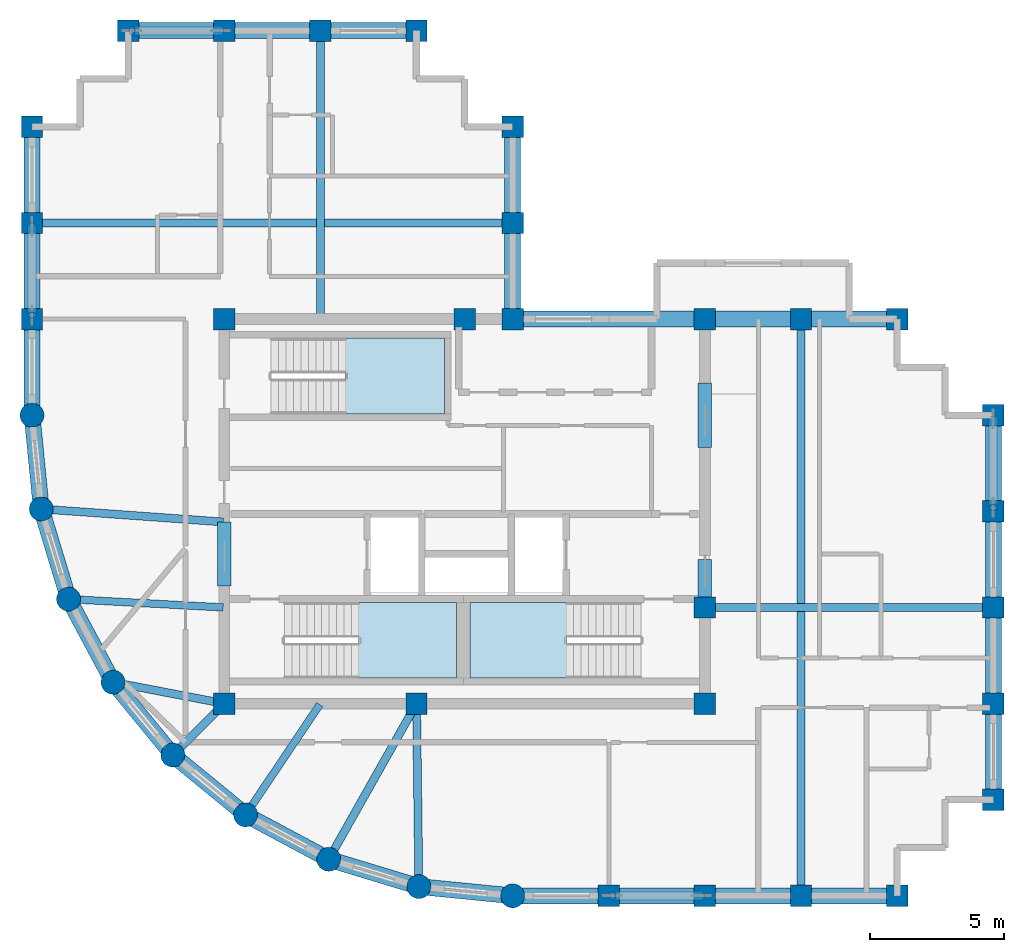
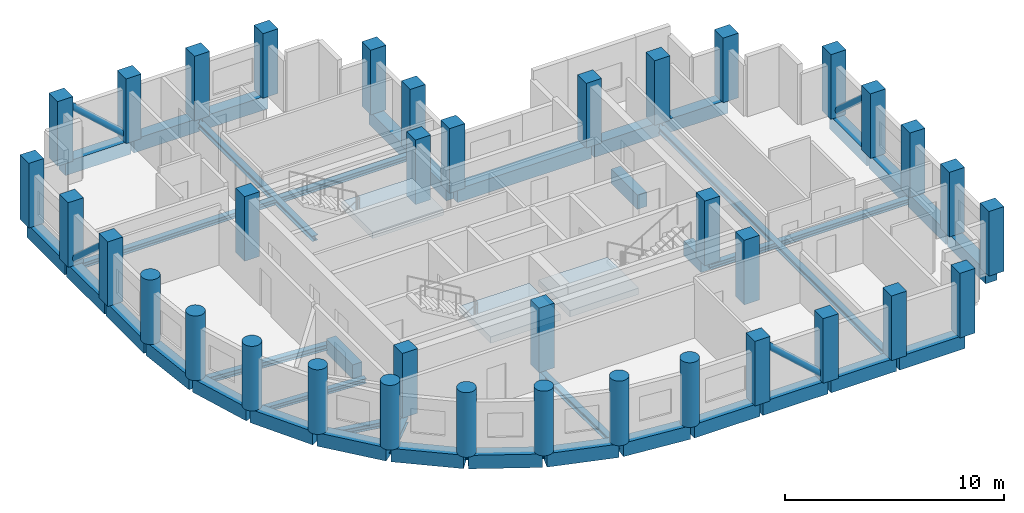
# One storey, part 1 of 6: 41 beams, 37 columns, 4 members, 3 slabs, 3 elements without a shape of their own.
"""IFC4 building model written with IfcOpenShell, lengths in metres."""

from ifc_helpers import new_model, si_unit, direction, frame, origin, origin_2d, place, context, subcontext, project, spatial, polyline, rectangle, circle, hollow_circle, i_section, outline, extrude, material, layer, layer_set, material_profile, profile_set, type_object, element, aggregate, save


model = new_model("IFC4")

# Units and contexts
model_context = context("Model", 3, precision=1e-05, world=origin(), true_north=direction((0.0, 1.0)))
body_context = subcontext(model_context, "Body", "Model", "MODEL_VIEW")
ifc_project = project(units=[si_unit("LENGTHUNIT", "METRE"), si_unit("AREAUNIT", "SQUARE_METRE"), si_unit("VOLUMEUNIT", "CUBIC_METRE"), si_unit("PLANEANGLEUNIT", "RADIAN"), si_unit("MASSUNIT", "GRAM", prefix="KILO")], contexts=[model_context])

# Site, building, storey
site_placement = place(None, origin())
site = spatial("IfcSite", under=ifc_project, at=site_placement, CompositionType="ELEMENT")
building_placement = place(site_placement, origin())
building = spatial("IfcBuilding", under=site, at=building_placement, Name="Solnavia Interchange Tower", CompositionType="ELEMENT")
storey_placement = place(building_placement, frame((0.0, 0.0, 255.800048828125)))
storey = spatial("IfcBuildingStorey", under=building, at=storey_placement, Name="L64", CompositionType="ELEMENT", Elevation=255.800048828125)

# Columns
ifc_material_1 = material(Name="Concrete C50/60", Category="concrete")
ifc_material_profile_1 = material_profile(ifc_material_1, rectangle(XDim=0.800048828125, YDim=0.800048828125, at=origin_2d()), Name="RC 800x800")
ifc_profile_set_1 = profile_set([ifc_material_profile_1], Name="Concrete C50/60")
column_type_1 = type_object("IfcColumnType", Name="Col-RC-800x800", PredefinedType="COLUMN", material=ifc_profile_set_1)
for number, where, z_axis, x_axis, name in (
    (1, (7.199951171875, 25.199951171875, 0.0), (0.0, 0.0, 1.0), (0.0, 1.0, 0.0), "COL-L64-02 Tower perim y column"),
    (2, (7.199951171875, 28.800048828125, 0.0), (0.0, 0.0, 1.0), (0.0, 1.0, 0.0), "COL-L64-03 Tower perim y column"),
    (3, (7.199951171875, 32.39990234375, 0.0), (0.0, 0.0, 1.0), (0.0, 1.0, 0.0), "COL-L64-04 Tower corner column"),
    (4, (10.800048828125, 36.0, 0.0), (0.0, 0.0, 1.0), (1.0, 0.0, 0.0), "COL-L64-08 Tower corner column"),
    (5, (14.39990234375, 10.800048828125, 0.0), (0.0, 0.0, 1.0), (1.0, 0.0, 0.0), "COL-L64-10 Tower interior column"),
    (6, (14.39990234375, 25.199951171875, 0.0), (0.0, 0.0, 1.0), (1.0, 0.0, 0.0), "COL-L64-11 Tower interior column"),
    (7, (14.39990234375, 36.0, 0.0), (0.0, 0.0, 1.0), (1.0, 0.0, 0.0), "COL-L64-12 Tower perim x column"),
    (8, (18.0, 36.0, 0.0), (0.0, 0.0, 1.0), (1.0, 0.0, 0.0), "COL-L64-14 Tower perim x column"),
    (9, (21.60009765625, 10.800048828125, 0.0), (0.0, 0.0, 1.0), (1.0, 0.0, 0.0), "COL-L64-16 Tower interior column"),
    (10, (21.60009765625, 36.0, 0.0), (0.0, 0.0, 1.0), (1.0, 0.0, 0.0), "COL-L64-17 Tower corner column"),
    (11, (23.39990234375, 25.199951171875, 0.0), (0.0, 0.0, 1.0), (1.0, 0.0, 0.0), "COL-L64-19 Tower interior column"),
    (12, (25.199951171875, 25.199951171875, 0.0), (0.0, 0.0, 1.0), (1.0, 0.0, 0.0), "COL-L64-21 Tower interior column"),
    (13, (25.199951171875, 28.800048828125, 0.0), (0.0, 0.0, 1.0), (0.0, 1.0, 0.0), "COL-L64-22 Tower perim y column"),
    (14, (25.199951171875, 32.39990234375, 0.0), (0.0, 0.0, 1.0), (0.0, 1.0, 0.0), "COL-L64-23 Tower corner column"),
    (15, (28.800048828125, 3.60009765625, 0.0), (0.0, 0.0, 1.0), (1.0, 0.0, 0.0), "COL-L64-24 Tower perim x column"),
    (16, (32.39990234375, 3.60009765625, 0.0), (0.0, 0.0, 1.0), (1.0, 0.0, 0.0), "COL-L64-25 Tower perim x column"),
    (17, (32.39990234375, 10.800048828125, 0.0), (0.0, 0.0, 1.0), (1.0, 0.0, 0.0), "COL-L64-26 Tower interior column"),
    (18, (32.39990234375, 14.39990234375, 0.0), (0.0, 0.0, 1.0), (1.0, 0.0, 0.0), "COL-L64-27 Tower interior column"),
    (19, (32.39990234375, 25.199951171875, 0.0), (0.0, 0.0, 1.0), (1.0, 0.0, 0.0), "COL-L64-28 Tower interior column"),
    (20, (36.0, 3.60009765625, 0.0), (0.0, 0.0, 1.0), (1.0, 0.0, 0.0), "COL-L64-29 Tower perim x column"),
    (21, (36.0, 25.199951171875, 0.0), (0.0, 0.0, 1.0), (1.0, 0.0, 0.0), "COL-L64-30 Tower perim x column"),
    (22, (39.60009765625, 3.60009765625, 0.0), (0.0, 0.0, 1.0), (1.0, 0.0, 0.0), "COL-L64-31 Tower corner column"),
    (23, (39.60009765625, 25.199951171875, 0.0), (0.0, 0.0, 1.0), (1.0, 0.0, 0.0), "COL-L64-32 Tower corner column"),
    (24, (43.199951171875, 7.199951171875, 0.0), (0.0, 0.0, 1.0), (1.0, 0.0, 0.0), "COL-L64-33 Tower corner column"),
    (25, (43.199951171875, 10.800048828125, 0.0), (0.0, 0.0, 1.0), (0.0, 1.0, 0.0), "COL-L64-34 Tower perim y column"),
    (26, (43.199951171875, 14.39990234375, 0.0), (0.0, 0.0, 1.0), (0.0, 1.0, 0.0), "COL-L64-35 Tower perim y column"),
    (27, (43.199951171875, 18.0, 0.0), (0.0, 0.0, 1.0), (0.0, 1.0, 0.0), "COL-L64-36 Tower perim y column"),
    (28, (43.199951171875, 21.60009765625, 0.0), (0.0, 0.0, 1.0), (0.0, 1.0, 0.0), "COL-L64-37 Tower corner column"),
):
    element("IfcColumn", number, at=place(storey_placement, frame(where, z_axis=z_axis, x_axis=x_axis)), inside=storey, type_object=column_type_1, Name=name, PredefinedType="COLUMN", context=body_context, shape_type="SweptSolid", body=[
        extrude(rectangle(XDim=0.800048828125, YDim=0.800048828125, at=origin_2d()), origin(), (0.0, 0.0, 1.0), 3.599853515625),
    ])
ifc_material_profile_2 = material_profile(ifc_material_1, circle(Radius=0.449951171875, at=origin_2d()), Name="RC D900")
ifc_profile_set_2 = profile_set([ifc_material_profile_2], Name="Concrete C50/60")
column_type_2 = type_object("IfcColumnType", Name="Col-RC-D900", PredefinedType="COLUMN", material=ifc_profile_set_2)
for number, where, z_axis, x_axis, name in (
    (29, (7.199951171875, 21.60009765625, 0.0), (0.0, 0.0, 1.0), (1.0, 0.0, 0.0), "COL-L64-01 Tower drum column"),
    (30, (7.5458984375, 18.087890625, 0.0), (0.0, 0.0, 1.0), (1.0, 0.0, 0.0), "COL-L64-05 Tower drum column"),
    (31, (8.570068359375, 14.7119140625, 0.0), (0.0, 0.0, 1.0), (1.0, 0.0, 0.0), "COL-L64-06 Tower drum column"),
    (32, (10.23388671875, 11.60009765625, 0.0), (0.0, 0.0, 1.0), (1.0, 0.0, 0.0), "COL-L64-07 Tower drum column"),
    (33, (12.471923828125, 8.8720703125, 0.0), (0.0, 0.0, 1.0), (1.0, 0.0, 0.0), "COL-L64-09 Tower drum column"),
    (34, (15.199951171875, 6.634033203125, 0.0), (0.0, 0.0, 1.0), (1.0, 0.0, 0.0), "COL-L64-13 Tower drum column"),
    (35, (18.31201171875, 4.969970703125, 0.0), (0.0, 0.0, 1.0), (1.0, 0.0, 0.0), "COL-L64-15 Tower drum column"),
    (36, (21.68798828125, 3.946044921875, 0.0), (0.0, 0.0, 1.0), (1.0, 0.0, 0.0), "COL-L64-18 Tower drum column"),
    (37, (25.199951171875, 3.60009765625, 0.0), (0.0, 0.0, 1.0), (1.0, 0.0, 0.0), "COL-L64-20 Tower drum column"),
):
    element("IfcColumn", number, at=place(storey_placement, frame(where, z_axis=z_axis, x_axis=x_axis)), inside=storey, type_object=column_type_2, Name=name, PredefinedType="COLUMN", context=body_context, shape_type="SweptSolid", body=[
        extrude(circle(Radius=0.449951171875, at=origin_2d()), origin(), (0.0, 0.0, 1.0), 3.599853515625),
    ])

# Beams
ifc_material_profile_3 = material_profile(ifc_material_1, rectangle(XDim=0.5, YDim=0.800048828125, at=origin_2d()), Name="RC 500x800")
ifc_profile_set_3 = profile_set([ifc_material_profile_3], Name="Concrete C50/60")
beam_type_1 = type_object("IfcBeamType", Name="Beam-Coupling-RC500x800", PredefinedType="LINTEL", material=ifc_profile_set_3)
beam_1_placement = place(storey_placement, frame((14.39990234375, 15.199951171875, -0.400146484375), z_axis=(0.0, 1.0, 0.0), x_axis=(-1.0, 0.0, 0.0)))
element("IfcBeam", 38, at=beam_1_placement, inside=storey, type_object=beam_type_1, Name="CPB-L64-W1 Core coupling lintel beam", PredefinedType="LINTEL", context=body_context, shape_type="SweptSolid", body=[
    extrude(rectangle(XDim=0.5, YDim=0.800048828125, at=origin_2d()), origin(), (0.0, 0.0, 1.0), 2.400146484375),
])
beam_2_placement = place(storey_placement, frame((32.39990234375, 14.60009765625, -0.400146484375), z_axis=(0.0, 1.0, 0.0), x_axis=(-1.0, 0.0, 0.0)))
element("IfcBeam", 39, at=beam_2_placement, inside=storey, type_object=beam_type_1, Name="CPB-L64-E1 Core coupling lintel beam", PredefinedType="LINTEL", context=body_context, shape_type="SweptSolid", body=[
    extrude(rectangle(XDim=0.5, YDim=0.800048828125, at=origin_2d()), origin(), (0.0, 0.0, 1.0), 1.599853515625),
])
beam_3_placement = place(storey_placement, frame((32.39990234375, 20.39990234375, -0.400146484375), z_axis=(0.0, 1.0, 0.0), x_axis=(-1.0, 0.0, 0.0)))
element("IfcBeam", 40, at=beam_3_placement, inside=storey, type_object=beam_type_1, Name="CPB-L64-E2 Core coupling lintel beam", PredefinedType="LINTEL", context=body_context, shape_type="SweptSolid", body=[
    extrude(rectangle(XDim=0.5, YDim=0.800048828125, at=origin_2d()), origin(), (0.0, 0.0, 1.0), 2.400146484375),
])
ifc_material_2 = material(Name="Steel S460", Category="steel")
ifc_material_profile_4 = material_profile(ifc_material_2, i_section(OverallWidth=0.300048828125, OverallDepth=0.300048828125, WebThickness=0.010986328125, FlangeThickness=0.01904296875, FilletRadius=0.027099609375, at=origin_2d()), Name="HEB 300")
ifc_profile_set_4 = profile_set([ifc_material_profile_4], Name="Steel S460")
beam_type_2 = type_object("IfcBeamType", Name="Beam-Girder-HEB300", PredefinedType="BEAM", material=ifc_profile_set_4)
beam_4_placement = place(storey_placement, frame((32.47998046875, 14.39990234375, -0.400146484375), z_axis=(1.0, 0.0, 0.0), x_axis=(0.0, 1.0, 0.0)))
element("IfcBeam", 41, at=beam_4_placement, inside=storey, type_object=beam_type_2, Name="GRD-L64-ES01 East wing spine girder", PredefinedType="BEAM", context=body_context, shape_type="SweptSolid", body=[
    extrude(i_section(OverallWidth=0.300048828125, OverallDepth=0.300048828125, WebThickness=0.010986328125, FlangeThickness=0.01904296875, FilletRadius=0.027099609375, at=origin_2d()), origin(), (0.0, 0.0, 1.0), 10.64013671875),
])
beam_5_placement = place(storey_placement, frame((18.0, 25.280029296875, -0.400146484375), z_axis=(0.0, 1.0, 0.0), x_axis=(-1.0, 0.0, 0.0)))
element("IfcBeam", 42, at=beam_5_placement, inside=storey, type_object=beam_type_2, Name="GRD-L64-NS03 North wing spine girder", PredefinedType="BEAM", context=body_context, shape_type="SweptSolid", body=[
    extrude(i_section(OverallWidth=0.300048828125, OverallDepth=0.300048828125, WebThickness=0.010986328125, FlangeThickness=0.01904296875, FilletRadius=0.027099609375, at=origin_2d()), origin(), (0.0, 0.0, 1.0), 10.639892578125),
])
beam_6_placement = place(storey_placement, frame((7.280029296875, 28.800048828125, -0.400146484375), z_axis=(1.0, 0.0, 0.0), x_axis=(0.0, 1.0, 0.0)))
element("IfcBeam", 43, at=beam_6_placement, inside=storey, type_object=beam_type_2, Name="GRD-L64-NW04 North wing primary floor girder", PredefinedType="BEAM", context=body_context, shape_type="SweptSolid", body=[
    extrude(i_section(OverallWidth=0.300048828125, OverallDepth=0.300048828125, WebThickness=0.010986328125, FlangeThickness=0.01904296875, FilletRadius=0.027099609375, at=origin_2d()), origin(), (0.0, 0.0, 1.0), 17.840087890625),
])
beam_7_placement = place(storey_placement, frame((10.3125, 11.5849609375, -0.400146484375), z_axis=(0.982057527796, -0.188581579428, 0.0), x_axis=(0.188581579428, 0.982057527796, 0.0)))
element("IfcBeam", 44, at=beam_7_placement, inside=storey, type_object=beam_type_2, Name="GRD-L64-DR07 Drum radial floor girder", PredefinedType="BEAM", context=body_context, shape_type="SweptSolid", body=[
    extrude(i_section(OverallWidth=0.300048828125, OverallDepth=0.300048828125, WebThickness=0.010986328125, FlangeThickness=0.01904296875, FilletRadius=0.027099609375, at=origin_2d()), origin(), (0.0, 0.0, 1.0), 4.1220703125),
])
beam_8_placement = place(storey_placement, frame((18.351318359375, 5.039794921875, -0.400146484375), z_axis=(0.491243158486, 0.871022479182, 0.0), x_axis=(-0.871022479182, 0.491243158486, 0.0)))
element("IfcBeam", 45, at=beam_8_placement, inside=storey, type_object=beam_type_2, Name="GRD-L64-DR10 Drum radial floor girder", PredefinedType="BEAM", context=body_context, shape_type="SweptSolid", body=[
    extrude(i_section(OverallWidth=0.300048828125, OverallDepth=0.300048828125, WebThickness=0.010986328125, FlangeThickness=0.01904296875, FilletRadius=0.027099609375, at=origin_2d()), origin(), (0.0, 0.0, 1.0), 6.5732421875),
])
ifc_material_3 = material(Name="Steel S355", Category="steel")
ifc_material_profile_5 = material_profile(ifc_material_3, i_section(OverallWidth=0.280029296875, OverallDepth=0.27001953125, WebThickness=0.008056640625, FlangeThickness=0.012939453125, FilletRadius=0.02392578125, at=origin_2d()), Name="HEA 280")
ifc_profile_set_5 = profile_set([ifc_material_profile_5], Name="Steel S355")
beam_type_3 = type_object("IfcBeamType", Name="Beam-Primary-HEA280", PredefinedType="BEAM", material=ifc_profile_set_5)
beam_9_placement = place(storey_placement, frame((8.64990234375, 14.707763671875, -0.385009765625), z_axis=(0.998570371303, -0.053452909696, 0.0), x_axis=(0.053452909696, 0.998570371303, 0.0)))
element("IfcBeam", 46, at=beam_9_placement, inside=storey, type_object=beam_type_3, Name="GRD-L64-DR06 Drum radial floor girder", PredefinedType="BEAM", context=body_context, shape_type="SweptSolid", body=[
    extrude(i_section(OverallWidth=0.280029296875, OverallDepth=0.27001953125, WebThickness=0.008056640625, FlangeThickness=0.012939453125, FilletRadius=0.02392578125, at=origin_2d()), origin(), (0.0, 0.0, 1.0), 5.71826171875),
])
beam_10_placement = place(storey_placement, frame((15.24462890625, 6.700439453125, -0.385009765625), z_axis=(0.557835474219, 0.829951555033, 0.0), x_axis=(-0.829951555033, 0.557835474219, 0.0)))
element("IfcBeam", 47, at=beam_10_placement, inside=storey, type_object=beam_type_3, Name="GRD-L64-DR09 Drum radial floor girder", PredefinedType="BEAM", context=body_context, shape_type="SweptSolid", body=[
    extrude(i_section(OverallWidth=0.280029296875, OverallDepth=0.27001953125, WebThickness=0.008056640625, FlangeThickness=0.012939453125, FilletRadius=0.02392578125, at=origin_2d()), origin(), (0.0, 0.0, 1.0), 4.899658203125),
])
ifc_material_profile_6 = material_profile(ifc_material_3, i_section(OverallWidth=0.300048828125, OverallDepth=0.31005859375, WebThickness=0.009033203125, FlangeThickness=0.015380859375, FilletRadius=0.027099609375, at=origin_2d()), Name="HEA 320")
ifc_profile_set_6 = profile_set([ifc_material_profile_6], Name="Steel S355")
beam_type_4 = type_object("IfcBeamType", Name="Beam-Primary-HEA320", PredefinedType="BEAM", material=ifc_profile_set_6)
beam_11_placement = place(storey_placement, frame((36.0, 3.679931640625, -0.405029296875), z_axis=(0.0, 1.0, 0.0), x_axis=(-1.0, 0.0, 0.0)))
element("IfcBeam", 48, at=beam_11_placement, inside=storey, type_object=beam_type_4, Name="GRD-L64-EW02 East wing primary floor girder", PredefinedType="BEAM", context=body_context, shape_type="SweptSolid", body=[
    extrude(i_section(OverallWidth=0.300048828125, OverallDepth=0.31005859375, WebThickness=0.009033203125, FlangeThickness=0.015380859375, FilletRadius=0.027099609375, at=origin_2d()), origin(), (0.0, 0.0, 1.0), 21.440185546875),
])
beam_12_placement = place(storey_placement, frame((7.625732421875, 18.082275390625, -0.405029296875), z_axis=(0.99747482749, -0.071020902015, 0.0), x_axis=(0.071020902015, 0.99747482749, 0.0)))
element("IfcBeam", 49, at=beam_12_placement, inside=storey, type_object=beam_type_4, Name="GRD-L64-DR05 Drum radial floor girder", PredefinedType="BEAM", context=body_context, shape_type="SweptSolid", body=[
    extrude(i_section(OverallWidth=0.300048828125, OverallDepth=0.31005859375, WebThickness=0.009033203125, FlangeThickness=0.015380859375, FilletRadius=0.027099609375, at=origin_2d()), origin(), (0.0, 0.0, 1.0), 6.75146484375),
])
beam_13_placement = place(storey_placement, frame((12.528564453125, 8.9287109375, -0.405029296875), z_axis=(0.707106781187, 0.707106781187, 0.0), x_axis=(-0.707106781187, 0.707106781187, 0.0)))
element("IfcBeam", 50, at=beam_13_placement, inside=storey, type_object=beam_type_4, Name="GRD-L64-DR08 Drum radial floor girder", PredefinedType="BEAM", context=body_context, shape_type="SweptSolid", body=[
    extrude(i_section(OverallWidth=0.300048828125, OverallDepth=0.31005859375, WebThickness=0.009033203125, FlangeThickness=0.015380859375, FilletRadius=0.027099609375, at=origin_2d()), origin(), (0.0, 0.0, 1.0), 2.6064453125),
])
beam_14_placement = place(storey_placement, frame((21.68701171875, 4.02587890625, -0.405029296875), z_axis=(-0.01283293513, 0.999917654498, 0.0), x_axis=(-0.999917654498, -0.01283293513, 0.0)))
element("IfcBeam", 51, at=beam_14_placement, inside=storey, type_object=beam_type_4, Name="GRD-L64-DR11 Drum radial floor girder", PredefinedType="BEAM", context=body_context, shape_type="SweptSolid", body=[
    extrude(i_section(OverallWidth=0.300048828125, OverallDepth=0.31005859375, WebThickness=0.009033203125, FlangeThickness=0.015380859375, FilletRadius=0.027099609375, at=origin_2d()), origin(), (0.0, 0.0, 1.0), 6.734619140625),
])
ifc_material_profile_7 = material_profile(ifc_material_1, rectangle(XDim=0.60009765625, YDim=0.75, at=origin_2d()), Name="RC 600x750")
ifc_profile_set_7 = profile_set([ifc_material_profile_7], Name="Concrete C50/60")
beam_type_5 = type_object("IfcBeamType", Name="Beam-Spandrel-RC600x750", PredefinedType="SPANDREL", material=ifc_profile_set_7)
beam_15_placement = place(storey_placement, frame((7.207763671875, 21.5205078125, -0.375), z_axis=(0.098040038117, -0.995182471171, 0.0), x_axis=(0.995182471171, 0.098040038117, 0.0)))
element("IfcBeam", 52, at=beam_15_placement, inside=storey, type_object=beam_type_5, Name="SPB-L64-01 Framed-tube perimeter spandrel beam", PredefinedType="SPANDREL", context=body_context, shape_type="SweptSolid", body=[
    extrude(rectangle(XDim=0.60009765625, YDim=0.75, at=origin_2d()), origin(), (0.0, 0.0, 1.0), 3.369140625),
])
beam_16_placement = place(storey_placement, frame((7.569091796875, 18.011474609375, -0.375), z_axis=(0.290319223646, -0.956929855518, 0.0), x_axis=(0.956929855518, 0.290319223646, 0.0)))
element("IfcBeam", 53, at=beam_16_placement, inside=storey, type_object=beam_type_5, Name="SPB-L64-02 Framed-tube perimeter spandrel beam", PredefinedType="SPANDREL", context=body_context, shape_type="SweptSolid", body=[
    extrude(rectangle(XDim=0.60009765625, YDim=0.75, at=origin_2d()), origin(), (0.0, 0.0, 1.0), 3.367919921875),
])
beam_17_placement = place(storey_placement, frame((8.607666015625, 14.6416015625, -0.375), z_axis=(0.471509422952, -0.881861023102, 0.0), x_axis=(0.881861023102, 0.471509422952, 0.0)))
element("IfcBeam", 54, at=beam_17_placement, inside=storey, type_object=beam_type_5, Name="SPB-L64-03 Framed-tube perimeter spandrel beam", PredefinedType="SPANDREL", context=body_context, shape_type="SweptSolid", body=[
    extrude(rectangle(XDim=0.60009765625, YDim=0.75, at=origin_2d()), origin(), (0.0, 0.0, 1.0), 3.369140625),
])
for number, where, z_axis, x_axis, name in (
    (55, (10.28466796875, 11.5380859375, -0.375), (0.634298841675, -0.773087950656, 0.0), (0.773087950656, 0.634298841675, 0.0), "SPB-L64-04 Framed-tube perimeter spandrel beam"),
    (56, (12.53369140625, 8.8212890625, -0.375), (0.773152644452, -0.634219984214, 0.0), (0.634219984214, 0.773152644452, 0.0), "SPB-L64-05 Framed-tube perimeter spandrel beam"),
):
    element("IfcBeam", number, at=place(storey_placement, frame(where, z_axis=z_axis, x_axis=x_axis)), inside=storey, type_object=beam_type_5, Name=name, PredefinedType="SPANDREL", context=body_context, shape_type="SweptSolid", body=[
        extrude(rectangle(XDim=0.60009765625, YDim=0.75, at=origin_2d()), origin(), (0.0, 0.0, 1.0), 3.36865234375),
    ])
beam_18_placement = place(storey_placement, frame((15.2705078125, 6.59619140625, -0.375), z_axis=(0.881875044348, -0.47148319817, 0.0), x_axis=(0.47148319817, 0.881875044348, 0.0)))
element("IfcBeam", 57, at=beam_18_placement, inside=storey, type_object=beam_type_5, Name="SPB-L64-06 Framed-tube perimeter spandrel beam", PredefinedType="SPANDREL", context=body_context, shape_type="SweptSolid", body=[
    extrude(rectangle(XDim=0.60009765625, YDim=0.75, at=origin_2d()), origin(), (0.0, 0.0, 1.0), 3.368896484375),
])
beam_19_placement = place(storey_placement, frame((18.388671875, 4.94677734375, -0.375), z_axis=(0.956943884494, -0.290272978297, 0.0), x_axis=(0.290272978297, 0.956943884494, 0.0)))
element("IfcBeam", 58, at=beam_19_placement, inside=storey, type_object=beam_type_5, Name="SPB-L64-07 Framed-tube perimeter spandrel beam", PredefinedType="SPANDREL", context=body_context, shape_type="SweptSolid", body=[
    extrude(rectangle(XDim=0.60009765625, YDim=0.75, at=origin_2d()), origin(), (0.0, 0.0, 1.0), 3.36767578125),
])
beam_20_placement = place(storey_placement, frame((21.767578125, 3.938232421875, -0.375), z_axis=(0.995181774609, -0.098047108501, 0.0), x_axis=(0.098047108501, 0.995181774609, 0.0)))
element("IfcBeam", 59, at=beam_20_placement, inside=storey, type_object=beam_type_5, Name="SPB-L64-08 Framed-tube perimeter spandrel beam", PredefinedType="SPANDREL", context=body_context, shape_type="SweptSolid", body=[
    extrude(rectangle(XDim=0.60009765625, YDim=0.75, at=origin_2d()), origin(), (0.0, 0.0, 1.0), 3.368896484375),
])
beam_21_placement = place(storey_placement, frame((25.280029296875, 3.60009765625, -0.375), z_axis=(1.0, 0.0, 0.0), x_axis=(0.0, 1.0, 0.0)))
element("IfcBeam", 60, at=beam_21_placement, inside=storey, type_object=beam_type_5, Name="SPB-L64-09 Framed-tube perimeter spandrel beam", PredefinedType="SPANDREL", context=body_context, shape_type="SweptSolid", body=[
    extrude(rectangle(XDim=0.60009765625, YDim=0.75, at=origin_2d()), origin(), (0.0, 0.0, 1.0), 3.43994140625),
])
beam_22_placement = place(storey_placement, frame((28.8798828125, 3.60009765625, -0.375), z_axis=(1.0, 0.0, 0.0), x_axis=(0.0, 1.0, 0.0)))
element("IfcBeam", 61, at=beam_22_placement, inside=storey, type_object=beam_type_5, Name="SPB-L64-10 Framed-tube perimeter spandrel beam", PredefinedType="SPANDREL", context=body_context, shape_type="SweptSolid", body=[
    extrude(rectangle(XDim=0.60009765625, YDim=0.75, at=origin_2d()), origin(), (0.0, 0.0, 1.0), 3.440185546875),
])
for number, where, z_axis, x_axis, name in (
    (62, (32.47998046875, 3.60009765625, -0.375), (1.0, 0.0, 0.0), (0.0, 1.0, 0.0), "SPB-L64-11 Framed-tube perimeter spandrel beam"),
    (63, (36.080078125, 3.60009765625, -0.375), (1.0, 0.0, 0.0), (0.0, 1.0, 0.0), "SPB-L64-12 Framed-tube perimeter spandrel beam"),
    (64, (43.199951171875, 7.280029296875, -0.375), (0.0, 1.0, 0.0), (-1.0, 0.0, 0.0), "SPB-L64-13 Framed-tube perimeter spandrel beam"),
):
    element("IfcBeam", number, at=place(storey_placement, frame(where, z_axis=z_axis, x_axis=x_axis)), inside=storey, type_object=beam_type_5, Name=name, PredefinedType="SPANDREL", context=body_context, shape_type="SweptSolid", body=[
        extrude(rectangle(XDim=0.60009765625, YDim=0.75, at=origin_2d()), origin(), (0.0, 0.0, 1.0), 3.43994140625),
    ])
beam_23_placement = place(storey_placement, frame((43.199951171875, 10.8798828125, -0.375), z_axis=(0.0, 1.0, 0.0), x_axis=(-1.0, 0.0, 0.0)))
element("IfcBeam", 65, at=beam_23_placement, inside=storey, type_object=beam_type_5, Name="SPB-L64-14 Framed-tube perimeter spandrel beam", PredefinedType="SPANDREL", context=body_context, shape_type="SweptSolid", body=[
    extrude(rectangle(XDim=0.60009765625, YDim=0.75, at=origin_2d()), origin(), (0.0, 0.0, 1.0), 3.440185546875),
])
for number, where, z_axis, x_axis, name in (
    (66, (43.199951171875, 14.47998046875, -0.375), (0.0, 1.0, 0.0), (-1.0, 0.0, 0.0), "SPB-L64-15 Framed-tube perimeter spandrel beam"),
    (67, (43.199951171875, 18.080078125, -0.375), (0.0, 1.0, 0.0), (-1.0, 0.0, 0.0), "SPB-L64-16 Framed-tube perimeter spandrel beam"),
    (68, (39.52001953125, 25.199951171875, -0.375), (-1.0, 0.0, 0.0), (0.0, -1.0, 0.0), "SPB-L64-17 Framed-tube perimeter spandrel beam"),
    (69, (35.919921875, 25.199951171875, -0.375), (-1.0, 0.0, 0.0), (0.0, -1.0, 0.0), "SPB-L64-18 Framed-tube perimeter spandrel beam"),
):
    element("IfcBeam", number, at=place(storey_placement, frame(where, z_axis=z_axis, x_axis=x_axis)), inside=storey, type_object=beam_type_5, Name=name, PredefinedType="SPANDREL", context=body_context, shape_type="SweptSolid", body=[
        extrude(rectangle(XDim=0.60009765625, YDim=0.75, at=origin_2d()), origin(), (0.0, 0.0, 1.0), 3.43994140625),
    ])
beam_24_placement = place(storey_placement, frame((32.320068359375, 25.199951171875, -0.375), z_axis=(-1.0, 0.0, 0.0), x_axis=(0.0, -1.0, 0.0)))
element("IfcBeam", 70, at=beam_24_placement, inside=storey, type_object=beam_type_5, Name="SPB-L64-19 Framed-tube perimeter spandrel beam", PredefinedType="SPANDREL", context=body_context, shape_type="SweptSolid", body=[
    extrude(rectangle(XDim=0.60009765625, YDim=0.75, at=origin_2d()), origin(), (0.0, 0.0, 1.0), 7.0400390625),
])
beam_25_placement = place(storey_placement, frame((25.199951171875, 25.280029296875, -0.375), z_axis=(0.0, 1.0, 0.0), x_axis=(-1.0, 0.0, 0.0)))
element("IfcBeam", 71, at=beam_25_placement, inside=storey, type_object=beam_type_5, Name="SPB-L64-20 Framed-tube perimeter spandrel beam", PredefinedType="SPANDREL", context=body_context, shape_type="SweptSolid", body=[
    extrude(rectangle(XDim=0.60009765625, YDim=0.75, at=origin_2d()), origin(), (0.0, 0.0, 1.0), 3.43994140625),
])
beam_26_placement = place(storey_placement, frame((25.199951171875, 28.8798828125, -0.375), z_axis=(0.0, 1.0, 0.0), x_axis=(-1.0, 0.0, 0.0)))
element("IfcBeam", 72, at=beam_26_placement, inside=storey, type_object=beam_type_5, Name="SPB-L64-21 Framed-tube perimeter spandrel beam", PredefinedType="SPANDREL", context=body_context, shape_type="SweptSolid", body=[
    extrude(rectangle(XDim=0.60009765625, YDim=0.75, at=origin_2d()), origin(), (0.0, 0.0, 1.0), 3.440185546875),
])
for number, where, z_axis, x_axis, name in (
    (73, (21.52001953125, 36.0, -0.375), (-1.0, 0.0, 0.0), (0.0, -1.0, 0.0), "SPB-L64-22 Framed-tube perimeter spandrel beam"),
    (74, (17.919921875, 36.0, -0.375), (-1.0, 0.0, 0.0), (0.0, -1.0, 0.0), "SPB-L64-23 Framed-tube perimeter spandrel beam"),
):
    element("IfcBeam", number, at=place(storey_placement, frame(where, z_axis=z_axis, x_axis=x_axis)), inside=storey, type_object=beam_type_5, Name=name, PredefinedType="SPANDREL", context=body_context, shape_type="SweptSolid", body=[
        extrude(rectangle(XDim=0.60009765625, YDim=0.75, at=origin_2d()), origin(), (0.0, 0.0, 1.0), 3.43994140625),
    ])
for number, where, z_axis, x_axis, name in (
    (75, (14.320068359375, 36.0, -0.375), (-1.0, 0.0, 0.0), (0.0, -1.0, 0.0), "SPB-L64-24 Framed-tube perimeter spandrel beam"),
    (76, (7.199951171875, 32.320068359375, -0.375), (0.0, -1.0, 0.0), (1.0, 0.0, 0.0), "SPB-L64-25 Framed-tube perimeter spandrel beam"),
):
    element("IfcBeam", number, at=place(storey_placement, frame(where, z_axis=z_axis, x_axis=x_axis)), inside=storey, type_object=beam_type_5, Name=name, PredefinedType="SPANDREL", context=body_context, shape_type="SweptSolid", body=[
        extrude(rectangle(XDim=0.60009765625, YDim=0.75, at=origin_2d()), origin(), (0.0, 0.0, 1.0), 3.440185546875),
    ])
beam_27_placement = place(storey_placement, frame((7.199951171875, 28.719970703125, -0.375), z_axis=(0.0, -1.0, 0.0), x_axis=(1.0, 0.0, 0.0)))
element("IfcBeam", 77, at=beam_27_placement, inside=storey, type_object=beam_type_5, Name="SPB-L64-26 Framed-tube perimeter spandrel beam", PredefinedType="SPANDREL", context=body_context, shape_type="SweptSolid", body=[
    extrude(rectangle(XDim=0.60009765625, YDim=0.75, at=origin_2d()), origin(), (0.0, 0.0, 1.0), 3.43994140625),
])
beam_28_placement = place(storey_placement, frame((7.199951171875, 25.1201171875, -0.375), z_axis=(0.0, -1.0, 0.0), x_axis=(1.0, 0.0, 0.0)))
element("IfcBeam", 78, at=beam_28_placement, inside=storey, type_object=beam_type_5, Name="SPB-L64-27 Framed-tube perimeter spandrel beam", PredefinedType="SPANDREL", context=body_context, shape_type="SweptSolid", body=[
    extrude(rectangle(XDim=0.60009765625, YDim=0.75, at=origin_2d()), origin(), (0.0, 0.0, 1.0), 3.440185546875),
])

# Members
ifc_material_profile_8 = material_profile(ifc_material_2, hollow_circle(Radius=0.177734375, WallThickness=0.01611328125, at=origin_2d()), Name="CHS 355.6x16")
ifc_profile_set_8 = profile_set([ifc_material_profile_8], Name="Steel S460")
member_type = type_object("IfcMemberType", Name="Brace-Perim-CHS355", PredefinedType="BRACE", material=ifc_profile_set_8)
member_1_placement = place(storey_placement, frame((32.260009765625, 3.60009765625, 0.179931640625), z_axis=(-0.74307946371, 0.0, 0.669203190827), x_axis=(0.0, -1.0, 0.0)))
element("IfcMember", 79, at=member_1_placement, inside=storey, type_object=member_type, Name="BRC-L64-01 Perimeter tube diagonal brace", PredefinedType="BRACE", context=body_context, shape_type="SweptSolid", body=[
    extrude(hollow_circle(Radius=0.177734375, WallThickness=0.01611328125, at=origin_2d()), origin(), (0.0, 0.0, 1.0), 4.468017578125),
])
member_2_placement = place(storey_placement, frame((7.199951171875, 28.659912109375, 0.179931640625), z_axis=(0.0, -0.743054991638, 0.669230363479), x_axis=(1.0, 0.0, 0.0)))
element("IfcMember", 80, at=member_2_placement, inside=storey, type_object=member_type, Name="BRC-L64-02 Perimeter tube diagonal brace", PredefinedType="BRACE", context=body_context, shape_type="SweptSolid", body=[
    extrude(hollow_circle(Radius=0.177734375, WallThickness=0.01611328125, at=origin_2d()), origin(), (0.0, 0.0, 1.0), 4.4677734375),
])
for number, where, z_axis, x_axis, name in (
    (81, (43.199951171875, 21.4599609375, 0.179931640625), (0.0, -0.74307946371, 0.669203190827), (1.0, 0.0, 0.0), "BRC-L64-03 Perimeter tube diagonal brace"),
    (82, (14.260009765625, 36.0, 0.179931640625), (-0.74307946371, 0.0, 0.669203190827), (0.0, -1.0, 0.0), "BRC-L64-04 Perimeter tube diagonal brace"),
):
    element("IfcMember", number, at=place(storey_placement, frame(where, z_axis=z_axis, x_axis=x_axis)), inside=storey, type_object=member_type, Name=name, PredefinedType="BRACE", context=body_context, shape_type="SweptSolid", body=[
        extrude(hollow_circle(Radius=0.177734375, WallThickness=0.01611328125, at=origin_2d()), origin(), (0.0, 0.0, 1.0), 4.468017578125),
    ])

# Stair, slab
ifc_material_4 = material(Name="Concrete C40/50", Category="concrete")
stair_type = type_object("IfcStairType", Name="Stair-Dogleg-RC", PredefinedType="HALF_TURN_STAIR", material=ifc_material_4)
stair_1_placement = place(storey_placement, origin())
stair_1 = element("IfcStair", 83, at=stair_1_placement, inside=storey, type_object=stair_type, Name="L64 Core exit stair 1", PredefinedType="HALF_TURN_STAIR")
ifc_layer = layer(ifc_material_4, 0.35009765625)
ifc_layer_set = layer_set([ifc_layer], Name="Concrete C40/50")
slab_type = type_object("IfcSlabType", Name="Slab-StairLanding-350", PredefinedType="LANDING", material=ifc_layer_set)
slab_1_placement = place(storey_placement, frame((0.0, 0.0, 1.449951171875)))
slab_1 = element("IfcSlab", 84, at=slab_1_placement, type_object=slab_type, Name="ST-1 landing 1", PredefinedType="LANDING", context=body_context, shape_type="SweptSolid", body=[
    extrude(outline(polyline([(19.427978515625, 11.75), (23.10009765625, 11.75), (23.10009765625, 14.590087890625), (19.427978515625, 14.590087890625), (19.427978515625, 11.75)])), origin(), (0.0, 0.0, 1.0), 0.35009765625),
])
aggregate(stair_1, [slab_1])

stair_2_placement = place(storey_placement, origin())
stair_2 = element("IfcStair", 85, at=stair_2_placement, inside=storey, type_object=stair_type, Name="L64 Core exit stair 2", PredefinedType="HALF_TURN_STAIR")
slab_2_placement = place(storey_placement, frame((0.0, 0.0, 1.449951171875)))
slab_2 = element("IfcSlab", 86, at=slab_2_placement, type_object=slab_type, Name="ST-2 landing 1", PredefinedType="LANDING", context=body_context, shape_type="SweptSolid", body=[
    extrude(outline(polyline([(23.60009765625, 11.75), (27.221923828125, 11.75), (27.221923828125, 14.590087890625), (23.60009765625, 14.590087890625), (23.60009765625, 11.75)])), origin(), (0.0, 0.0, 1.0), 0.35009765625),
])
aggregate(stair_2, [slab_2])

stair_3_placement = place(storey_placement, origin())
stair_3 = element("IfcStair", 87, at=stair_3_placement, inside=storey, type_object=stair_type, Name="L64 Core exit stair 3", PredefinedType="HALF_TURN_STAIR")
slab_3_placement = place(storey_placement, frame((0.0, 0.0, 1.449951171875)))
slab_3 = element("IfcSlab", 88, at=slab_3_placement, type_object=slab_type, Name="ST-3 landing 1", PredefinedType="LANDING", context=body_context, shape_type="SweptSolid", body=[
    extrude(outline(polyline([(18.927978515625, 21.64990234375), (22.64990234375, 21.64990234375), (22.64990234375, 24.489990234375), (18.927978515625, 24.489990234375), (18.927978515625, 21.64990234375)])), origin(), (0.0, 0.0, 1.0), 0.35009765625),
])
aggregate(stair_3, [slab_3])

save(model, "model.ifc")
